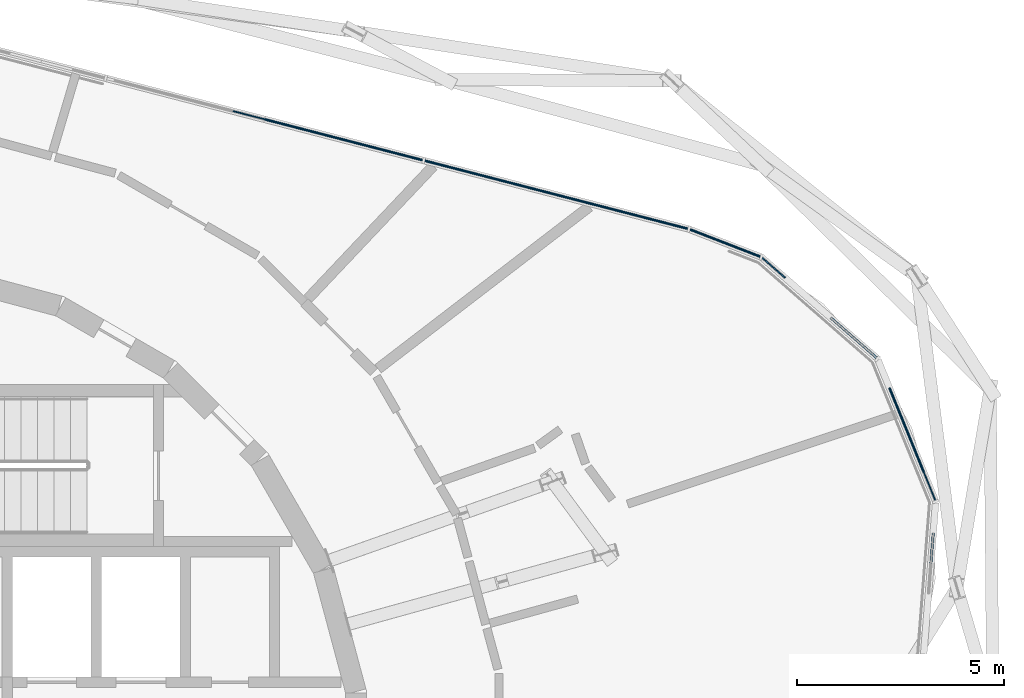
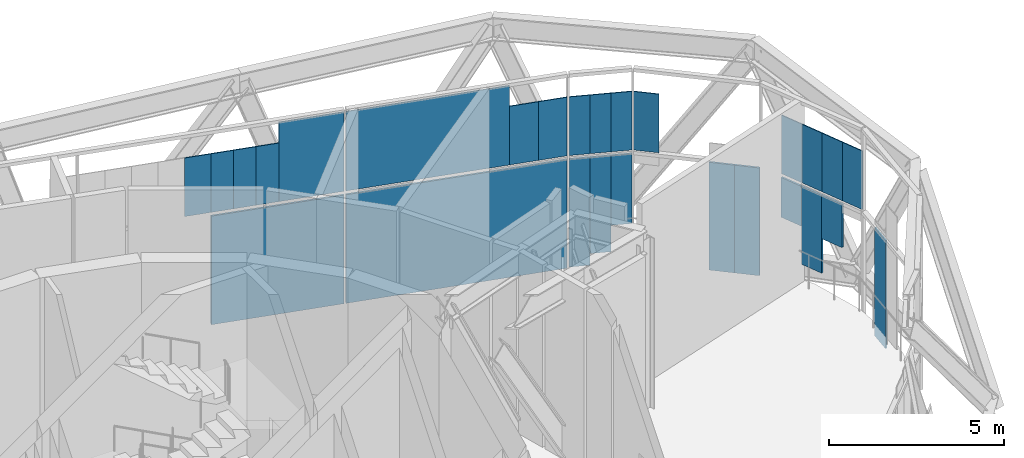
# One storey, part 14 of 23: 27 plates, 2 elements without a shape of their own.
"""IFC4 building model written with IfcOpenShell, lengths in metres."""

from ifc_helpers import new_model, si_unit, direction, frame, origin, origin_2d, place, context, subcontext, project, spatial, rectangle, extrude, material, layer, layer_set, type_object, element, aggregate, save


model = new_model("IFC4")

# Units and contexts
model_context = context("Model", 3, precision=1e-05, world=origin(), true_north=direction((0.0, 1.0)))
body_context = subcontext(model_context, "Body", "Model", "MODEL_VIEW")
ifc_project = project(units=[si_unit("LENGTHUNIT", "METRE"), si_unit("AREAUNIT", "SQUARE_METRE"), si_unit("VOLUMEUNIT", "CUBIC_METRE"), si_unit("PLANEANGLEUNIT", "RADIAN"), si_unit("MASSUNIT", "GRAM", prefix="KILO")], contexts=[model_context])

# Site, building, storey
site_placement = place(None, origin())
site = spatial("IfcSite", under=ifc_project, at=site_placement, CompositionType="ELEMENT")
building_placement = place(site_placement, origin())
building = spatial("IfcBuilding", under=site, at=building_placement, Name="Spindle Arch Residences", CompositionType="ELEMENT")
storey_placement = place(building_placement, frame((0.0, 0.0, 326.199951171875)))
storey = spatial("IfcBuildingStorey", under=building, at=storey_placement, Name="L84", CompositionType="ELEMENT", Elevation=326.199951171875)

# Curtain wall, plates
ifc_material_1 = material(Name="Aluminium bronze unitised frame with tinted glass", Category="aluminium")
ifc_layer_1 = layer(ifc_material_1, 0.159912109375)
ifc_layer_set_1 = layer_set([ifc_layer_1], Name="CW-E double-height winter garden wall")
curtain_wall_type = type_object("IfcCurtainWallType", Name="CW-E double-height winter garden wall", PredefinedType="NOTDEFINED", material=ifc_layer_set_1)
curtain_wall_1_placement = place(storey_placement, origin())
curtain_wall_1 = element("IfcCurtainWall", 1, at=curtain_wall_1_placement, inside=storey, type_object=curtain_wall_type, Name="CW-E L84 run 1", PredefinedType="NOTDEFINED")
ifc_material_2 = material(Name="Tinted laminated glass 28 mm", Category="glass")
ifc_layer_2 = layer(ifc_material_2, 0.028076171875)
ifc_layer_set_2 = layer_set([ifc_layer_2], Name="Tinted glass panel 28 mm")
plate_type_1 = type_object("IfcPlateType", Name="Tinted glass panel 28 mm", PredefinedType="CURTAIN_PANEL", material=ifc_layer_set_2)
plate_1_placement = place(storey_placement, frame((25.4970703125, 6.50634765625, 3.460205078125), z_axis=(0.0, 0.0, 1.0), x_axis=(-0.377302072189, 0.926090247396, 0.0)))
plate_1 = element("IfcPlate", 2, at=plate_1_placement, type_object=plate_type_1, Name="CW-E panel 03b.1", PredefinedType="CURTAIN_PANEL", context=body_context, shape_type="SweptSolid", body=[
    extrude(rectangle(XDim=0.7333984375, YDim=0.028076171875, at=origin_2d()), origin(), (0.0, 0.0, 1.0), 2.0458984375),
])
plate_2_placement = place(storey_placement, frame((25.220458984375, 7.185546875, 3.460205078125), z_axis=(0.0, 0.0, 1.0), x_axis=(-0.377302072189, 0.926090247396, 0.0)))
plate_2 = element("IfcPlate", 3, at=plate_2_placement, type_object=plate_type_1, Name="CW-E panel 03b.2", PredefinedType="CURTAIN_PANEL", context=body_context, shape_type="SweptSolid", body=[
    extrude(rectangle(XDim=0.7333984375, YDim=0.028076171875, at=origin_2d()), origin(), (0.0, 0.0, 1.0), 2.0458984375),
])
plate_3_placement = place(storey_placement, frame((24.94384765625, 7.86474609375, 3.460205078125), z_axis=(0.0, 0.0, 1.0), x_axis=(-0.377302072189, 0.926090247396, 0.0)))
plate_3 = element("IfcPlate", 4, at=plate_3_placement, type_object=plate_type_1, Name="CW-E panel 03b.3", PredefinedType="CURTAIN_PANEL", context=body_context, shape_type="SweptSolid", body=[
    extrude(rectangle(XDim=0.7333984375, YDim=0.028076171875, at=origin_2d()), origin(), (0.0, 0.0, 1.0), 2.0458984375),
])
plate_4_placement = place(storey_placement, frame((24.6669921875, 8.5439453125, 3.460205078125), z_axis=(0.0, 0.0, 1.0), x_axis=(-0.377302072189, 0.926090247396, 0.0)))
plate_4 = element("IfcPlate", 5, at=plate_4_placement, type_object=plate_type_1, Name="CW-E panel 03b.4", PredefinedType="CURTAIN_PANEL", context=body_context, shape_type="SweptSolid", body=[
    extrude(rectangle(XDim=0.7333984375, YDim=0.028076171875, at=origin_2d()), origin(), (0.0, 0.0, 1.0), 2.0458984375),
])
plate_5_placement = place(storey_placement, frame((21.73388671875, 11.782470703125, 3.460205078125), z_axis=(0.0, 0.0, 1.0), x_axis=(-0.752797991635, 0.658251611308, 0.0)))
plate_5 = element("IfcPlate", 6, at=plate_5_placement, type_object=plate_type_1, Name="CW-E panel 04b.3", PredefinedType="CURTAIN_PANEL", context=body_context, shape_type="SweptSolid", body=[
    extrude(rectangle(XDim=0.7333984375, YDim=0.028076171875, at=origin_2d()), origin(), (0.0, 0.0, 1.0), 2.0458984375),
])
plate_6_placement = place(storey_placement, frame((21.125, 12.16357421875, 3.460205078125), z_axis=(0.0, 0.0, 1.0), x_axis=(-0.932534030225, 0.361082099353, 0.0)))
plate_6 = element("IfcPlate", 7, at=plate_6_placement, type_object=plate_type_1, Name="CW-E panel 05b.1", PredefinedType="CURTAIN_PANEL", context=body_context, shape_type="SweptSolid", body=[
    extrude(rectangle(XDim=0.60546875, YDim=0.028076171875, at=origin_2d()), origin(), (0.0, 0.0, 1.0), 2.0458984375),
])
plate_7_placement = place(storey_placement, frame((20.560546875, 12.38232421875, 3.460205078125), z_axis=(0.0, 0.0, 1.0), x_axis=(-0.932534030225, 0.361082099353, 0.0)))
plate_7 = element("IfcPlate", 8, at=plate_7_placement, type_object=plate_type_1, Name="CW-E panel 05b.2", PredefinedType="CURTAIN_PANEL", context=body_context, shape_type="SweptSolid", body=[
    extrude(rectangle(XDim=0.60546875, YDim=0.028076171875, at=origin_2d()), origin(), (0.0, 0.0, 1.0), 2.0458984375),
])
plate_8_placement = place(storey_placement, frame((19.995849609375, 12.600830078125, 3.460205078125), z_axis=(0.0, 0.0, 1.0), x_axis=(-0.932534030225, 0.361082099353, 0.0)))
plate_8 = element("IfcPlate", 9, at=plate_8_placement, type_object=plate_type_1, Name="CW-E panel 05b.3", PredefinedType="CURTAIN_PANEL", context=body_context, shape_type="SweptSolid", body=[
    extrude(rectangle(XDim=0.60546875, YDim=0.028076171875, at=origin_2d()), origin(), (0.0, 0.0, 1.0), 2.0458984375),
])
plate_9_placement = place(storey_placement, frame((19.2451171875, 12.834716796875, 3.460205078125), z_axis=(0.0, 0.0, 1.0), x_axis=(-0.968147640378, 0.250380004054, 0.0)))
plate_9 = element("IfcPlate", 10, at=plate_9_placement, type_object=plate_type_1, Name="CW-E panel 06b.1", PredefinedType="CURTAIN_PANEL", context=body_context, shape_type="SweptSolid", body=[
    extrude(rectangle(XDim=0.85009765625, YDim=0.028076171875, at=origin_2d()), origin(), (0.0, 0.0, 1.0), 2.0458984375),
])
plate_10_placement = place(storey_placement, frame((18.422119140625, 13.047607421875, 3.460205078125), z_axis=(0.0, 0.0, 1.0), x_axis=(-0.968147640378, 0.250380004054, 0.0)))
plate_10 = element("IfcPlate", 11, at=plate_10_placement, type_object=plate_type_1, Name="CW-E panel 06b.2", PredefinedType="CURTAIN_PANEL", context=body_context, shape_type="SweptSolid", body=[
    extrude(rectangle(XDim=0.85009765625, YDim=0.028076171875, at=origin_2d()), origin(), (0.0, 0.0, 1.0), 2.0458984375),
])
plate_11_placement = place(storey_placement, frame((15.66015625, 13.761962890625, 3.4599609375), z_axis=(0.0, 0.0, 1.0), x_axis=(-0.968147640378, 0.250380004054, 0.0)))
plate_11 = element("IfcPlate", 12, at=plate_11_placement, type_object=plate_type_1, Name="CW-E panel 06b.3", PredefinedType="CURTAIN_PANEL", context=body_context, shape_type="SweptSolid", body=[
    extrude(rectangle(XDim=4.85595703125, YDim=0.028076171875, at=origin_2d()), origin(), (0.0, 0.0, 1.0), 2.77001953125),
])

curtain_wall_2_placement = place(storey_placement, origin())
curtain_wall_2 = element("IfcCurtainWall", 13, at=curtain_wall_2_placement, inside=storey, type_object=curtain_wall_type, Name="CW-E L84 run 2", PredefinedType="NOTDEFINED")
plate_12_placement = place(storey_placement, frame((12.315673828125, 14.626953125, 3.4599609375), z_axis=(0.0, 0.0, 1.0), x_axis=(-0.968147640378, 0.250380004054, 0.0)))
plate_12 = element("IfcPlate", 14, at=plate_12_placement, type_object=plate_type_1, Name="CW-E panel 05Ab.1", PredefinedType="CURTAIN_PANEL", context=body_context, shape_type="SweptSolid", body=[
    extrude(rectangle(XDim=1.932861328125, YDim=0.028076171875, at=origin_2d()), origin(), (0.0, 0.0, 1.0), 2.77001953125),
])
plate_13_placement = place(storey_placement, frame((11.056640625, 14.95263671875, 3.460205078125), z_axis=(0.0, 0.0, 1.0), x_axis=(-0.968147640378, 0.250380004054, 0.0)))
plate_13 = element("IfcPlate", 15, at=plate_13_placement, type_object=plate_type_1, Name="CW-E panel 05Ab.2", PredefinedType="CURTAIN_PANEL", context=body_context, shape_type="SweptSolid", body=[
    extrude(rectangle(XDim=0.668212890625, YDim=0.028076171875, at=origin_2d()), origin(), (0.0, 0.0, 1.0), 2.0458984375),
])
plate_14_placement = place(storey_placement, frame((10.40966796875, 15.119873046875, 3.460205078125), z_axis=(0.0, 0.0, 1.0), x_axis=(-0.968147640378, 0.250380004054, 0.0)))
plate_14 = element("IfcPlate", 16, at=plate_14_placement, type_object=plate_type_1, Name="CW-E panel 05Ab.3", PredefinedType="CURTAIN_PANEL", context=body_context, shape_type="SweptSolid", body=[
    extrude(rectangle(XDim=0.668212890625, YDim=0.028076171875, at=origin_2d()), origin(), (0.0, 0.0, 1.0), 2.0458984375),
])
plate_15_placement = place(storey_placement, frame((9.7626953125, 15.287109375, 3.460205078125), z_axis=(0.0, 0.0, 1.0), x_axis=(-0.968147640378, 0.250380004054, 0.0)))
plate_15 = element("IfcPlate", 17, at=plate_15_placement, type_object=plate_type_1, Name="CW-E panel 05Ab.4", PredefinedType="CURTAIN_PANEL", context=body_context, shape_type="SweptSolid", body=[
    extrude(rectangle(XDim=0.668212890625, YDim=0.028076171875, at=origin_2d()), origin(), (0.0, 0.0, 1.0), 2.0458984375),
])
plate_16_placement = place(storey_placement, frame((9.05810546875, 15.469482421875, 3.460205078125), z_axis=(0.0, 0.0, 1.0), x_axis=(-0.968147640378, 0.250380004054, 0.0)))
plate_16 = element("IfcPlate", 18, at=plate_16_placement, type_object=plate_type_1, Name="CW-E panel 05Bb.1", PredefinedType="CURTAIN_PANEL", context=body_context, shape_type="SweptSolid", body=[
    extrude(rectangle(XDim=0.78759765625, YDim=0.028076171875, at=origin_2d()), origin(), (0.0, 0.0, 1.0), 2.0458984375),
])

# Plate
ifc_material_3 = material(Name="Tinted double glazing over aluminium faced non-combustible spandrel zone (K0)", Category="aluminium")
ifc_layer_3 = layer(ifc_material_3, 0.06005859375)
ifc_layer_set_3 = layer_set([ifc_layer_3], Name="Unitised glass panel with E 60 spandrel zone")
plate_type_2 = type_object("IfcPlateType", Name="Unitised glass panel with E 60 spandrel zone", PredefinedType="CURTAIN_PANEL", material=ifc_layer_set_3)
plate_17_placement = place(storey_placement, frame((25.55810546875, 5.012451171875, -0.419921875), z_axis=(0.0, 0.0, 1.0), x_axis=(0.078459091935, 0.996917334032, 0.0)))
plate_17 = element("IfcPlate", 19, at=plate_17_placement, type_object=plate_type_2, Name="CW-E panel 02a.2", PredefinedType="CURTAIN_PANEL", context=body_context, shape_type="SweptSolid", body=[
    extrude(rectangle(XDim=0.7333984375, YDim=0.06005859375, at=origin_2d()), origin(), (0.0, 0.0, 1.0), 3.760009765625),
])

plate_18_placement = place(storey_placement, frame((25.220458984375, 7.185546875, 1.831298828125), z_axis=(0.0, 0.0, 1.0), x_axis=(-0.377302072189, 0.926090247396, 0.0)))
plate_18 = element("IfcPlate", 20, at=plate_18_placement, type_object=plate_type_2, Name="CW-E panel 03a.2", PredefinedType="CURTAIN_PANEL", context=body_context, shape_type="SweptSolid", body=[
    extrude(rectangle(XDim=0.7333984375, YDim=0.06005859375, at=origin_2d()), origin(), (0.0, 0.0, 1.0), 1.5087890625),
])

plate_19_placement = place(storey_placement, frame((24.94384765625, 7.86474609375, 0.62451171875), z_axis=(0.0, 0.0, 1.0), x_axis=(-0.377302072189, 0.926090247396, 0.0)))
plate_19 = element("IfcPlate", 21, at=plate_19_placement, type_object=plate_type_2, Name="CW-E panel 03a.3", PredefinedType="CURTAIN_PANEL", context=body_context, shape_type="SweptSolid", body=[
    extrude(rectangle(XDim=0.7333984375, YDim=0.06005859375, at=origin_2d()), origin(), (0.0, 0.0, 1.0), 2.715576171875),
])

plate_20_placement = place(storey_placement, frame((24.6669921875, 8.5439453125, 1.9501953125), z_axis=(0.0, 0.0, 1.0), x_axis=(-0.377302072189, 0.926090247396, 0.0)))
plate_20 = element("IfcPlate", 22, at=plate_20_placement, type_object=plate_type_2, Name="CW-E panel 03a.4", PredefinedType="CURTAIN_PANEL", context=body_context, shape_type="SweptSolid", body=[
    extrude(rectangle(XDim=0.7333984375, YDim=0.06005859375, at=origin_2d()), origin(), (0.0, 0.0, 1.0), 1.389892578125),
])

plate_21_placement = place(storey_placement, frame((23.942138671875, 9.8515625, -0.419921875), z_axis=(0.0, 0.0, 1.0), x_axis=(-0.752797991635, 0.658251611308, 0.0)))
plate_21 = element("IfcPlate", 23, at=plate_21_placement, type_object=plate_type_2, Name="CW-E panel 04a.1", PredefinedType="CURTAIN_PANEL", context=body_context, shape_type="SweptSolid", body=[
    extrude(rectangle(XDim=0.7333984375, YDim=0.06005859375, at=origin_2d()), origin(), (0.0, 0.0, 1.0), 3.760009765625),
])

plate_22_placement = place(storey_placement, frame((23.389892578125, 10.334228515625, -0.419921875), z_axis=(0.0, 0.0, 1.0), x_axis=(-0.752797991635, 0.658251611308, 0.0)))
plate_22 = element("IfcPlate", 24, at=plate_22_placement, type_object=plate_type_2, Name="CW-E panel 04a.2", PredefinedType="CURTAIN_PANEL", context=body_context, shape_type="SweptSolid", body=[
    extrude(rectangle(XDim=0.7333984375, YDim=0.06005859375, at=origin_2d()), origin(), (0.0, 0.0, 1.0), 3.760009765625),
])

plate_23_placement = place(storey_placement, frame((21.125, 12.16357421875, 0.90625), z_axis=(0.0, 0.0, 1.0), x_axis=(-0.932534030225, 0.361082099353, 0.0)))
plate_23 = element("IfcPlate", 25, at=plate_23_placement, type_object=plate_type_2, Name="CW-E panel 05a.1", PredefinedType="CURTAIN_PANEL", context=body_context, shape_type="SweptSolid", body=[
    extrude(rectangle(XDim=0.60546875, YDim=0.06005859375, at=origin_2d()), origin(), (0.0, 0.0, 1.0), 2.433837890625),
])

plate_24_placement = place(storey_placement, frame((20.560546875, 12.38232421875, -0.0146484375), z_axis=(0.0, 0.0, 1.0), x_axis=(-0.932534030225, 0.361082099353, 0.0)))
plate_24 = element("IfcPlate", 26, at=plate_24_placement, type_object=plate_type_2, Name="CW-E panel 05a.2", PredefinedType="CURTAIN_PANEL", context=body_context, shape_type="SweptSolid", body=[
    extrude(rectangle(XDim=0.60546875, YDim=0.06005859375, at=origin_2d()), origin(), (0.0, 0.0, 1.0), 3.354736328125),
])

plate_25_placement = place(storey_placement, frame((19.995849609375, 12.600830078125, -0.419921875), z_axis=(0.0, 0.0, 1.0), x_axis=(-0.932534030225, 0.361082099353, 0.0)))
plate_25 = element("IfcPlate", 27, at=plate_25_placement, type_object=plate_type_2, Name="CW-E panel 05a.3", PredefinedType="CURTAIN_PANEL", context=body_context, shape_type="SweptSolid", body=[
    extrude(rectangle(XDim=0.60546875, YDim=0.06005859375, at=origin_2d()), origin(), (0.0, 0.0, 1.0), 3.760009765625),
])

plate_26_placement = place(storey_placement, frame((16.483154296875, 13.549072265625, -0.449951171875), z_axis=(0.0, 0.0, 1.0), x_axis=(-0.968147640378, 0.250380004054, 0.0)))
plate_26 = element("IfcPlate", 28, at=plate_26_placement, type_object=plate_type_2, Name="CW-E unit 06a", PredefinedType="CURTAIN_PANEL", context=body_context, shape_type="SweptSolid", body=[
    extrude(rectangle(XDim=6.555908203125, YDim=0.06005859375, at=origin_2d()), origin(), (0.0, 0.0, 1.0), 3.7900390625),
])

aggregate(curtain_wall_1, [plate_17, plate_18, plate_19, plate_20, plate_1, plate_2, plate_3, plate_4, plate_21, plate_22, plate_5, plate_23, plate_24, plate_25, plate_6, plate_7, plate_8, plate_26, plate_9, plate_10, plate_11])

plate_27_placement = place(storey_placement, frame((11.34521484375, 14.8779296875, -0.449951171875), z_axis=(0.0, 0.0, 1.0), x_axis=(-0.968147640378, 0.250380004054, 0.0)))
plate_27 = element("IfcPlate", 29, at=plate_27_placement, type_object=plate_type_2, Name="CW-E unit 05Aa", PredefinedType="CURTAIN_PANEL", context=body_context, shape_type="SweptSolid", body=[
    extrude(rectangle(XDim=3.9375, YDim=0.06005859375, at=origin_2d()), origin(), (0.0, 0.0, 1.0), 3.7900390625),
])

aggregate(curtain_wall_2, [plate_27, plate_12, plate_13, plate_14, plate_15, plate_16])

save(model, "model.ifc")
